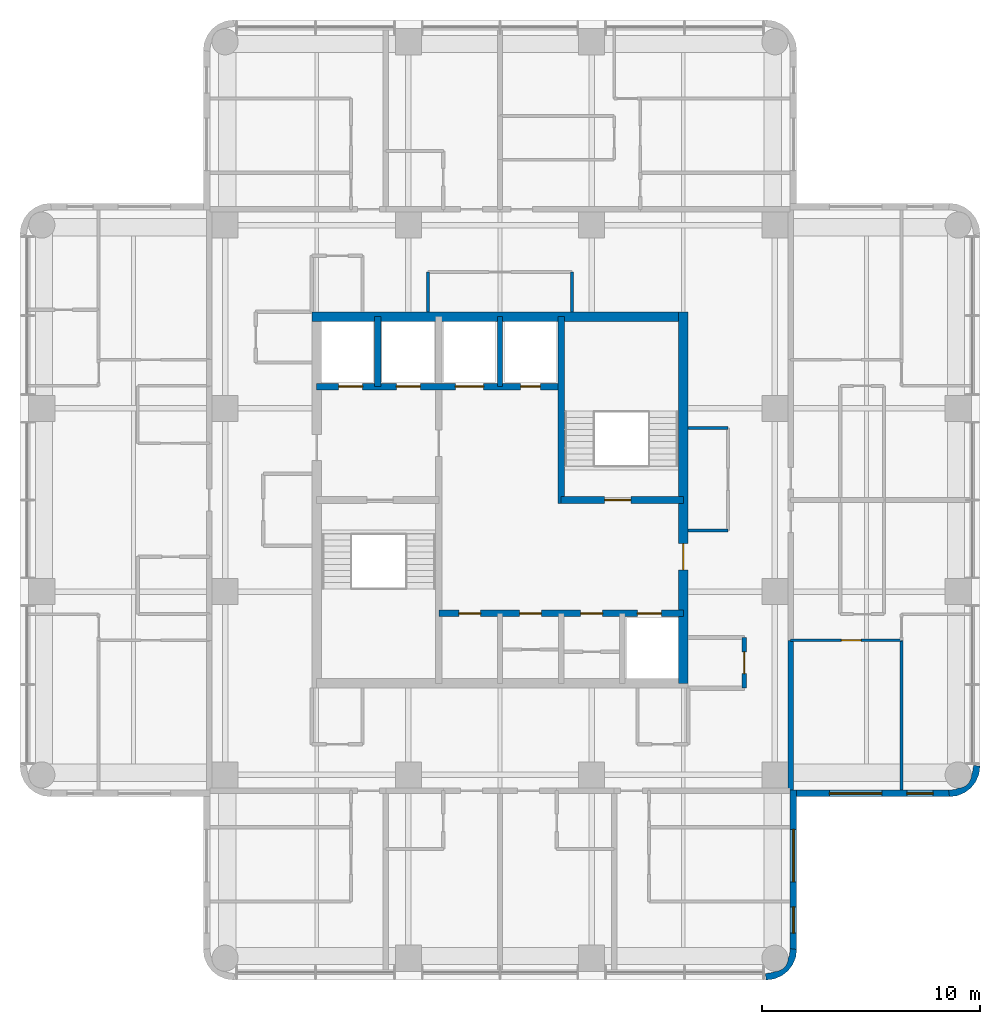
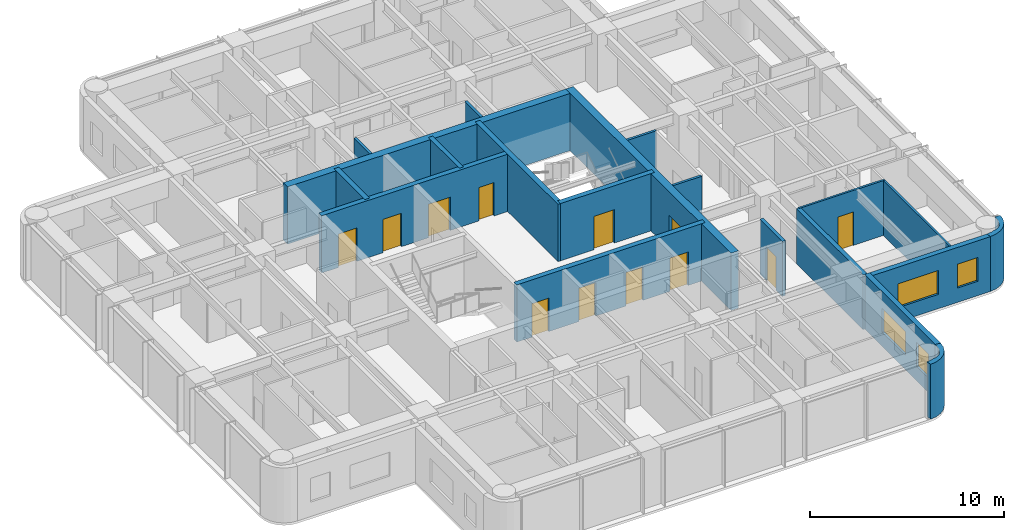
# One storey, part 6 of 10: 20 walls, 12 doors, 4 windows, 16 openings.
"""IFC4 building model written with IfcOpenShell, lengths in metres."""

from ifc_helpers import new_model, si_unit, direction, frame, frame_2d, origin, place, context, subcontext, project, spatial, polyline, rectangle, outline, extrude, material, layer, layer_set, type_object, element, fill, save


model = new_model("IFC4")

# Units and contexts
model_context = context("Model", 3, precision=1e-05, world=origin(), true_north=direction((0.0, 1.0)))
body_context = subcontext(model_context, "Body", "Model", "MODEL_VIEW")
ifc_project = project(units=[si_unit("LENGTHUNIT", "METRE"), si_unit("AREAUNIT", "SQUARE_METRE"), si_unit("VOLUMEUNIT", "CUBIC_METRE"), si_unit("PLANEANGLEUNIT", "RADIAN"), si_unit("MASSUNIT", "GRAM", prefix="KILO")], contexts=[model_context])

# Site, building, storey
site_placement = place(None, origin())
site = spatial("IfcSite", under=ifc_project, at=site_placement, CompositionType="ELEMENT")
building_placement = place(site_placement, origin())
building = spatial("IfcBuilding", under=site, at=building_placement, Name="Torre Alcanfor", CompositionType="ELEMENT")
storey_placement = place(building_placement, frame((0.0, 0.0, 275.699951171875)))
storey = spatial("IfcBuildingStorey", under=building, at=storey_placement, Name="L72", CompositionType="ELEMENT", Elevation=275.699951171875)

# Wall
ifc_material_1 = material(Name="Concrete block masonry, hollow blocks NMX-C-404 9 MPa", Category="masonry")
ifc_layer_1 = layer(ifc_material_1, 0.25)
ifc_layer_set_1 = layer_set([ifc_layer_1], Name="Apartment entrance wall 250 EI 60")
wall_type_1 = type_object("IfcWallType", Name="Apartment entrance wall 250 EI 60", PredefinedType="PARTITIONING", material=ifc_layer_set_1)
wall_1_placement = place(storey_placement, frame((42.72509765625, 22.970947265625, 0.0), z_axis=(0.0, 0.0, 1.0), x_axis=(0.0, -1.0, 0.0)))
element("IfcWall", 1, at=wall_1_placement, inside=storey, type_object=wall_type_1, Name="Partition L72-CORR / L72-E2-BED2", PredefinedType="PARTITIONING", context=body_context, shape_type="SweptSolid", body=[
    extrude(rectangle(XDim=6.870849609375, YDim=0.25, at=frame_2d((3.435546875, 0.0))), origin(), (0.0, 0.0, 1.0), 3.449951171875),
])

# Wall, opening, door
ifc_material_2 = material(Name="Gypsum board on steel studs", Category="steel")
ifc_layer_2 = layer(ifc_material_2, 0.1201171875)
ifc_layer_set_2 = layer_set([ifc_layer_2], Name="Apartment partition 120")
wall_type_2 = type_object("IfcWallType", Name="Apartment partition 120", PredefinedType="PARTITIONING", material=ifc_layer_set_2)
wall_2_placement = place(storey_placement, frame((47.800048828125, 22.970947265625, 0.0), z_axis=(0.0, 0.0, 1.0), x_axis=(-1.0, 0.0, 0.0)))
wall_2 = element("IfcWall", 2, at=wall_2_placement, inside=storey, type_object=wall_type_2, Name="Partition L72-E2-LIVING / L72-E2-BED2", PredefinedType="PARTITIONING", context=body_context, shape_type="SweptSolid", body=[
    extrude(rectangle(XDim=5.074951171875, YDim=0.1201171875, at=frame_2d((2.53759765625, 0.0))), origin(), (0.0, 0.0, 1.0), 3.449951171875),
])
opening_1_placement = place(wall_2_placement, frame((1.85009765625, 0.0, 0.0)))
opening_1 = element("IfcOpeningElement", 3, at=opening_1_placement, cuts=wall_2, Name="Opening D-R1", PredefinedType="OPENING", context=body_context, shape_type="SweptSolid", body=[
    extrude(rectangle(XDim=0.89990234375, YDim=2.10009765625, at=frame_2d((0.449951171875, 1.050048828125))), frame((0.0, 0.070068359375, 0.0), z_axis=(0.0, -1.0, 0.0), x_axis=(1.0, 0.0, 0.0)), (0.0, 0.0, 1.0), 0.14013671875),
])
ifc_material_3 = material(Name="Timber", Category="wood")
door_type_1 = type_object("IfcDoorType", Name="Internal door 900x2100", OperationType="SINGLE_SWING_LEFT", PredefinedType="DOOR", material=ifc_material_3)
door_1_placement = place(opening_1_placement, origin())
door_1 = element("IfcDoor", 4, at=door_1_placement, inside=storey, type_object=door_type_1, Name="Door L72-E2 bed2", OperationType="SINGLE_SWING_LEFT", OverallHeight=2.10009765625, OverallWidth=0.89990234375, PredefinedType="DOOR", context=body_context, shape_type="SweptSolid", body=[
    extrude(rectangle(XDim=0.89990234375, YDim=2.10009765625, at=frame_2d((0.449951171875, 1.050048828125))), frame((0.0, 0.02490234375, 0.0), z_axis=(0.0, -1.0, 0.0), x_axis=(1.0, 0.0, 0.0)), (0.0, 0.0, 1.0), 0.050048828125),
])
fill(opening_1, door_1)

# Wall
wall_3_placement = place(storey_placement, frame((47.800048828125, 22.970947265625, 0.0), z_axis=(0.0, 0.0, 1.0), x_axis=(0.0, -1.0, 0.0)))
element("IfcWall", 5, at=wall_3_placement, inside=storey, type_object=wall_type_2, Name="Partition L72-E2-BED2 / L72-E2-MASTER", PredefinedType="PARTITIONING", context=body_context, shape_type="SweptSolid", body=[
    extrude(rectangle(XDim=6.870849609375, YDim=0.1201171875, at=frame_2d((3.435546875, 0.0))), origin(), (0.0, 0.0, 1.0), 3.449951171875),
])

# Wall, openings, doors
ifc_material_4 = material(Name="Concrete f'c 70 MPa", Category="concrete")
ifc_layer_3 = layer(ifc_material_4, 0.300048828125)
ifc_layer_set_3 = layer_set([ifc_layer_3], Name="Core inner wall 300 f'c70")
wall_type_3 = type_object("IfcWallType", Name="Core inner wall 300 f'c70", PredefinedType="SHEAR", material=ifc_layer_set_3)
wall_4_placement = place(storey_placement, frame((21.0, 34.60009765625, 0.0), z_axis=(0.0, 0.0, 1.0), x_axis=(1.0, 0.0, 0.0)))
wall_4 = element("IfcWall", 6, at=wall_4_placement, inside=storey, type_object=wall_type_3, Name="Core wall Y346 L72", PredefinedType="SHEAR", context=body_context, shape_type="SweptSolid", body=[
    extrude(rectangle(XDim=11.199951171875, YDim=0.300048828125, at=frame_2d((5.60009765625, 0.0))), origin(), (0.0, 0.0, 1.0), 3.60009765625),
])
opening_2_placement = place(wall_4_placement, frame((9.35009765625, 0.0, 0.0)))
opening_2 = element("IfcOpeningElement", 7, at=opening_2_placement, cuts=wall_4, Name="Opening D-Q1", PredefinedType="OPENING", context=body_context, shape_type="SweptSolid", body=[
    extrude(rectangle(XDim=0.89990234375, YDim=2.10009765625, at=frame_2d((0.449951171875, 1.050048828125))), frame((0.0, 0.159912109375, 0.0), z_axis=(0.0, -1.0, 0.0), x_axis=(1.0, 0.0, 0.0)), (0.0, 0.0, 1.0), 0.320068359375),
])
opening_3_placement = place(wall_4_placement, frame((1.0, 0.0, 0.0)))
opening_3 = element("IfcOpeningElement", 8, at=opening_3_placement, cuts=wall_4, Name="Opening LD2", PredefinedType="OPENING", context=body_context, shape_type="SweptSolid", body=[
    extrude(rectangle(XDim=1.10009765625, YDim=2.10009765625, at=frame_2d((0.550048828125, 1.050048828125))), frame((0.0, 0.159912109375, 0.0), z_axis=(0.0, -1.0, 0.0), x_axis=(1.0, 0.0, 0.0)), (0.0, 0.0, 1.0), 0.320068359375),
])
opening_4_placement = place(wall_4_placement, frame((3.64990234375, 0.0, 0.0)))
opening_4 = element("IfcOpeningElement", 9, at=opening_4_placement, cuts=wall_4, Name="Opening LD2", PredefinedType="OPENING", context=body_context, shape_type="SweptSolid", body=[
    extrude(rectangle(XDim=1.10009765625, YDim=2.10009765625, at=frame_2d((0.550048828125, 1.050048828125))), frame((0.0, 0.159912109375, 0.0), z_axis=(0.0, -1.0, 0.0), x_axis=(1.0, 0.0, 0.0)), (0.0, 0.0, 1.0), 0.320068359375),
])
opening_5_placement = place(wall_4_placement, frame((6.35009765625, 0.0, 0.0)))
opening_5 = element("IfcOpeningElement", 10, at=opening_5_placement, cuts=wall_4, Name="Opening LD3", PredefinedType="OPENING", context=body_context, shape_type="SweptSolid", body=[
    extrude(rectangle(XDim=1.300048828125, YDim=2.10009765625, at=frame_2d((0.64990234375, 1.050048828125))), frame((0.0, 0.159912109375, 0.0), z_axis=(0.0, -1.0, 0.0), x_axis=(1.0, 0.0, 0.0)), (0.0, 0.0, 1.0), 0.320068359375),
])
ifc_material_5 = material(Name="Galvanised steel sheet ASTM A653", Category="steel")
door_type_2 = type_object("IfcDoorType", Name="Firefighting lift landing door 1100x2100", OperationType="DOUBLE_DOOR_SLIDING", PredefinedType="DOOR", material=ifc_material_5)
door_2_placement = place(opening_3_placement, origin())
door_2 = element("IfcDoor", 11, at=door_2_placement, inside=storey, type_object=door_type_2, Name="Lift landing door FL1 L72", OperationType="DOUBLE_DOOR_SLIDING", OverallHeight=2.10009765625, OverallWidth=1.10009765625, PredefinedType="DOOR", context=body_context, shape_type="SweptSolid", body=[
    extrude(rectangle(XDim=1.10009765625, YDim=2.10009765625, at=frame_2d((0.550048828125, 1.050048828125))), frame((0.0, 0.02490234375, 0.0), z_axis=(0.0, -1.0, 0.0), x_axis=(1.0, 0.0, 0.0)), (0.0, 0.0, 1.0), 0.050048828125),
])
fill(opening_3, door_2)
door_3_placement = place(opening_4_placement, origin())
door_3 = element("IfcDoor", 12, at=door_3_placement, inside=storey, type_object=door_type_2, Name="Lift landing door FL2 L72", OperationType="DOUBLE_DOOR_SLIDING", OverallHeight=2.10009765625, OverallWidth=1.10009765625, PredefinedType="DOOR", context=body_context, shape_type="SweptSolid", body=[
    extrude(rectangle(XDim=1.10009765625, YDim=2.10009765625, at=frame_2d((0.550048828125, 1.050048828125))), frame((0.0, 0.02490234375, 0.0), z_axis=(0.0, -1.0, 0.0), x_axis=(1.0, 0.0, 0.0)), (0.0, 0.0, 1.0), 0.050048828125),
])
fill(opening_4, door_3)
ifc_material_6 = material(Name="Galvanised steel sheet ASTM A653", Category="steel")
door_type_3 = type_object("IfcDoorType", Name="Riser access door FD120 900x2100", OperationType="SINGLE_SWING_LEFT", PredefinedType="DOOR", material=ifc_material_6)
door_4_placement = place(opening_2_placement, origin())
door_4 = element("IfcDoor", 13, at=door_4_placement, inside=storey, type_object=door_type_3, Name="Riser door L72", OperationType="SINGLE_SWING_LEFT", OverallHeight=2.10009765625, OverallWidth=0.89990234375, PredefinedType="DOOR", context=body_context, shape_type="SweptSolid", body=[
    extrude(rectangle(XDim=0.89990234375, YDim=2.10009765625, at=frame_2d((0.449951171875, 1.050048828125))), frame((0.0, 0.02490234375, 0.0), z_axis=(0.0, -1.0, 0.0), x_axis=(1.0, 0.0, 0.0)), (0.0, 0.0, 1.0), 0.050048828125),
])
fill(opening_2, door_4)
ifc_material_7 = material(Name="Galvanised steel sheet ASTM A653", Category="steel")
door_type_4 = type_object("IfcDoorType", Name="Service lift landing door 1300x2100", OperationType="DOUBLE_DOOR_SLIDING", PredefinedType="DOOR", material=ifc_material_7)
door_5_placement = place(opening_5_placement, origin())
door_5 = element("IfcDoor", 14, at=door_5_placement, inside=storey, type_object=door_type_4, Name="Lift landing door SL1 L72", OperationType="DOUBLE_DOOR_SLIDING", OverallHeight=2.10009765625, OverallWidth=1.300048828125, PredefinedType="DOOR", context=body_context, shape_type="SweptSolid", body=[
    extrude(rectangle(XDim=1.300048828125, YDim=2.10009765625, at=frame_2d((0.64990234375, 1.050048828125))), frame((0.0, 0.02490234375, 0.0), z_axis=(0.0, -1.0, 0.0), x_axis=(1.0, 0.0, 0.0)), (0.0, 0.0, 1.0), 0.050048828125),
])
fill(opening_5, door_5)

# Wall
wall_5_placement = place(storey_placement, frame((23.800048828125, 34.60009765625, 0.0), z_axis=(0.0, 0.0, 1.0), x_axis=(0.0, 1.0, 0.0)))
element("IfcWall", 15, at=wall_5_placement, inside=storey, type_object=wall_type_3, Name="Core wall X238 L72", PredefinedType="SHEAR", context=body_context, shape_type="SweptSolid", body=[
    extrude(rectangle(XDim=3.199951171875, YDim=0.300048828125, at=frame_2d((1.60009765625, 0.0))), origin(), (0.0, 0.0, 1.0), 3.60009765625),
])

# Wall, openings, doors
wall_6_placement = place(storey_placement, frame((26.60009765625, 24.199951171875, 0.0), z_axis=(0.0, 0.0, 1.0), x_axis=(1.0, 0.0, 0.0)))
wall_6 = element("IfcWall", 16, at=wall_6_placement, inside=storey, type_object=wall_type_3, Name="Core wall Y242 L72", PredefinedType="SHEAR", context=body_context, shape_type="SweptSolid", body=[
    extrude(rectangle(XDim=11.199951171875, YDim=0.300048828125, at=frame_2d((5.60009765625, 0.0))), origin(), (0.0, 0.0, 1.0), 3.60009765625),
])
opening_6_placement = place(wall_6_placement, frame((0.91259765625, 0.0, 0.0)))
opening_6 = element("IfcOpeningElement", 17, at=opening_6_placement, cuts=wall_6, Name="Opening D-K1", PredefinedType="OPENING", context=body_context, shape_type="SweptSolid", body=[
    extrude(rectangle(XDim=1.0, YDim=2.10009765625, at=frame_2d((0.5, 1.050048828125))), frame((0.0, 0.159912109375, 0.0), z_axis=(0.0, -1.0, 0.0), x_axis=(1.0, 0.0, 0.0)), (0.0, 0.0, 1.0), 0.320068359375),
])
opening_7_placement = place(wall_6_placement, frame((3.699951171875, 0.0, 0.0)))
opening_7 = element("IfcOpeningElement", 18, at=opening_7_placement, cuts=wall_6, Name="Opening D-K1", PredefinedType="OPENING", context=body_context, shape_type="SweptSolid", body=[
    extrude(rectangle(XDim=1.0, YDim=2.10009765625, at=frame_2d((0.5, 1.050048828125))), frame((0.0, 0.159912109375, 0.0), z_axis=(0.0, -1.0, 0.0), x_axis=(1.0, 0.0, 0.0)), (0.0, 0.0, 1.0), 0.320068359375),
])
opening_8_placement = place(wall_6_placement, frame((6.5, 0.0, 0.0)))
opening_8 = element("IfcOpeningElement", 19, at=opening_8_placement, cuts=wall_6, Name="Opening D-K1", PredefinedType="OPENING", context=body_context, shape_type="SweptSolid", body=[
    extrude(rectangle(XDim=1.0, YDim=2.10009765625, at=frame_2d((0.5, 1.050048828125))), frame((0.0, 0.159912109375, 0.0), z_axis=(0.0, -1.0, 0.0), x_axis=(1.0, 0.0, 0.0)), (0.0, 0.0, 1.0), 0.320068359375),
])
opening_9_placement = place(wall_6_placement, frame((9.10009765625, 0.0, 0.0)))
opening_9 = element("IfcOpeningElement", 20, at=opening_9_placement, cuts=wall_6, Name="Opening LD1", PredefinedType="OPENING", context=body_context, shape_type="SweptSolid", body=[
    extrude(rectangle(XDim=1.10009765625, YDim=2.10009765625, at=frame_2d((0.550048828125, 1.050048828125))), frame((0.0, 0.159912109375, 0.0), z_axis=(0.0, -1.0, 0.0), x_axis=(1.0, 0.0, 0.0)), (0.0, 0.0, 1.0), 0.320068359375),
])
ifc_material_8 = material(Name="Galvanised steel sheet ASTM A653", Category="steel")
door_type_5 = type_object("IfcDoorType", Name="Core room door FD60 1000x2100", OperationType="SINGLE_SWING_LEFT", PredefinedType="DOOR", material=ifc_material_8)
door_6_placement = place(opening_6_placement, frame((1.0, 0.0, 0.0), z_axis=(0.0, 0.0, 1.0), x_axis=(-1.0, 0.0, 0.0)))
door_6 = element("IfcDoor", 21, at=door_6_placement, inside=storey, type_object=door_type_5, Name="Housekeeping store door L72", OperationType="SINGLE_SWING_RIGHT", OverallHeight=2.10009765625, OverallWidth=1.0, PredefinedType="DOOR", context=body_context, shape_type="SweptSolid", body=[
    extrude(rectangle(XDim=1.0, YDim=2.10009765625, at=frame_2d((0.5, 1.050048828125))), frame((0.0, 0.025146484375, 0.0), z_axis=(0.0, -1.0, 0.0), x_axis=(1.0, 0.0, 0.0)), (0.0, 0.0, 1.0), 0.050048828125),
])
fill(opening_6, door_6)
door_7_placement = place(opening_7_placement, frame((1.0, 0.0, 0.0), z_axis=(0.0, 0.0, 1.0), x_axis=(-1.0, 0.0, 0.0)))
door_7 = element("IfcDoor", 22, at=door_7_placement, inside=storey, type_object=door_type_5, Name="Staff WC door L72", OperationType="SINGLE_SWING_RIGHT", OverallHeight=2.10009765625, OverallWidth=1.0, PredefinedType="DOOR", context=body_context, shape_type="SweptSolid", body=[
    extrude(rectangle(XDim=1.0, YDim=2.10009765625, at=frame_2d((0.5, 1.050048828125))), frame((0.0, 0.025146484375, 0.0), z_axis=(0.0, -1.0, 0.0), x_axis=(1.0, 0.0, 0.0)), (0.0, 0.0, 1.0), 0.050048828125),
])
fill(opening_7, door_7)
door_8_placement = place(opening_8_placement, frame((1.0, 0.0, 0.0), z_axis=(0.0, 0.0, 1.0), x_axis=(-1.0, 0.0, 0.0)))
door_8 = element("IfcDoor", 23, at=door_8_placement, inside=storey, type_object=door_type_5, Name="IT and comms room door L72", OperationType="SINGLE_SWING_RIGHT", OverallHeight=2.10009765625, OverallWidth=1.0, PredefinedType="DOOR", context=body_context, shape_type="SweptSolid", body=[
    extrude(rectangle(XDim=1.0, YDim=2.10009765625, at=frame_2d((0.5, 1.050048828125))), frame((0.0, 0.025146484375, 0.0), z_axis=(0.0, -1.0, 0.0), x_axis=(1.0, 0.0, 0.0)), (0.0, 0.0, 1.0), 0.050048828125),
])
fill(opening_8, door_8)
ifc_material_9 = material(Name="Galvanised steel sheet ASTM A653", Category="steel")
door_type_6 = type_object("IfcDoorType", Name="Lift landing door 1100x2100", OperationType="DOUBLE_DOOR_SLIDING", PredefinedType="DOOR", material=ifc_material_9)
door_9_placement = place(opening_9_placement, origin())
door_9 = element("IfcDoor", 24, at=door_9_placement, inside=storey, type_object=door_type_6, Name="Lift landing door PA4 L72", OperationType="DOUBLE_DOOR_SLIDING", OverallHeight=2.10009765625, OverallWidth=1.10009765625, PredefinedType="DOOR", context=body_context, shape_type="SweptSolid", body=[
    extrude(rectangle(XDim=1.10009765625, YDim=2.10009765625, at=frame_2d((0.550048828125, 1.050048828125))), frame((0.0, 0.02490234375, 0.0), z_axis=(0.0, -1.0, 0.0), x_axis=(1.0, 0.0, 0.0)), (0.0, 0.0, 1.0), 0.050048828125),
])
fill(opening_9, door_9)

# Wall
wall_7_placement = place(storey_placement, frame((32.199951171875, 29.25, 0.0), z_axis=(0.0, 0.0, 1.0), x_axis=(0.0, 1.0, 0.0)))
element("IfcWall", 25, at=wall_7_placement, inside=storey, type_object=wall_type_3, Name="Core wall X322N L72", PredefinedType="SHEAR", context=body_context, shape_type="SweptSolid", body=[
    extrude(rectangle(XDim=8.550048828125, YDim=0.300048828125, at=frame_2d((4.27490234375, 0.0))), origin(), (0.0, 0.0, 1.0), 3.60009765625),
])

# Wall, opening, door
wall_8_placement = place(storey_placement, frame((32.199951171875, 29.39990234375, 0.0), z_axis=(0.0, 0.0, 1.0), x_axis=(1.0, 0.0, 0.0)))
wall_8 = element("IfcWall", 26, at=wall_8_placement, inside=storey, type_object=wall_type_3, Name="Core wall Y294E L72", PredefinedType="SHEAR", context=body_context, shape_type="SweptSolid", body=[
    extrude(rectangle(XDim=5.60009765625, YDim=0.300048828125, at=frame_2d((2.800048828125, 0.0))), origin(), (0.0, 0.0, 1.0), 3.60009765625),
])
opening_10_placement = place(wall_8_placement, frame((2.0, 0.0, 0.0)))
opening_10 = element("IfcOpeningElement", 27, at=opening_10_placement, cuts=wall_8, Name="Opening D-S2", PredefinedType="OPENING", context=body_context, shape_type="SweptSolid", body=[
    extrude(rectangle(XDim=1.199951171875, YDim=2.10009765625, at=frame_2d((0.60009765625, 1.050048828125))), frame((0.0, 0.159912109375, 0.0), z_axis=(0.0, -1.0, 0.0), x_axis=(1.0, 0.0, 0.0)), (0.0, 0.0, 1.0), 0.320068359375),
])
ifc_material_10 = material(Name="Galvanised steel sheet ASTM A653", Category="steel")
door_type_7 = type_object("IfcDoorType", Name="Stair enclosure door FD120 1200x2100", OperationType="SINGLE_SWING_LEFT", PredefinedType="DOOR", material=ifc_material_10)
door_10_placement = place(opening_10_placement, origin())
door_10 = element("IfcDoor", 28, at=door_10_placement, inside=storey, type_object=door_type_7, Name="Stair S2 door L72", OperationType="SINGLE_SWING_LEFT", OverallHeight=2.10009765625, OverallWidth=1.199951171875, PredefinedType="DOOR", context=body_context, shape_type="SweptSolid", body=[
    extrude(rectangle(XDim=1.199951171875, YDim=2.10009765625, at=frame_2d((0.60009765625, 1.050048828125))), frame((0.0, 0.02490234375, 0.0), z_axis=(0.0, -1.0, 0.0), x_axis=(1.0, 0.0, 0.0)), (0.0, 0.0, 1.0), 0.050048828125),
])
fill(opening_10, door_10)

# Wall
ifc_material_11 = material(Name="Concrete f'c 70 MPa", Category="concrete")
ifc_layer_4 = layer(ifc_material_11, 0.25)
ifc_layer_set_4 = layer_set([ifc_layer_4], Name="Core shaft wall 250 f'c70")
wall_type_4 = type_object("IfcWallType", Name="Core shaft wall 250 f'c70", PredefinedType="SHEAR", material=ifc_layer_set_4)
wall_9_placement = place(storey_placement, frame((29.39990234375, 34.60009765625, 0.0), z_axis=(0.0, 0.0, 1.0), x_axis=(0.0, 1.0, 0.0)))
element("IfcWall", 29, at=wall_9_placement, inside=storey, type_object=wall_type_4, Name="Core wall X294N L72", PredefinedType="SHEAR", context=body_context, shape_type="SweptSolid", body=[
    extrude(rectangle(XDim=3.199951171875, YDim=0.25, at=frame_2d((1.60009765625, 0.0))), origin(), (0.0, 0.0, 1.0), 3.60009765625),
])

# Wall, opening, door
ifc_material_12 = material(Name="Concrete f'c 70 MPa", Category="concrete")
ifc_layer_5 = layer(ifc_material_12, 0.449951171875)
ifc_layer_set_5 = layer_set([ifc_layer_5], Name="Core wall 450 f'c70")
wall_type_5 = type_object("IfcWallType", Name="Core wall 450 f'c70", PredefinedType="SHEAR", material=ifc_layer_set_5)
wall_10_placement = place(storey_placement, frame((37.800048828125, 21.0, 0.0), z_axis=(0.0, 0.0, 1.0), x_axis=(0.0, 1.0, 0.0)))
wall_10 = element("IfcWall", 30, at=wall_10_placement, inside=storey, type_object=wall_type_5, Name="Core wall OUT-E L72", PredefinedType="SHEAR", context=body_context, shape_type="SweptSolid", body=[
    extrude(rectangle(XDim=17.02490234375, YDim=0.449951171875, at=frame_2d((8.512451171875, 0.0))), origin(), (0.0, 0.0, 1.0), 3.60009765625),
])
opening_11_placement = place(wall_10_placement, frame((5.199951171875, 0.0, 0.0)))
opening_11 = element("IfcOpeningElement", 31, at=opening_11_placement, cuts=wall_10, Name="Opening D-L1", PredefinedType="OPENING", context=body_context, shape_type="SweptSolid", body=[
    extrude(rectangle(XDim=1.199951171875, YDim=2.10009765625, at=frame_2d((0.60009765625, 1.050048828125))), frame((0.0, 0.23486328125, 0.0), z_axis=(0.0, -1.0, 0.0), x_axis=(1.0, 0.0, 0.0)), (0.0, 0.0, 1.0), 0.469970703125),
])
ifc_material_13 = material(Name="Galvanised steel sheet ASTM A653", Category="steel")
door_type_8 = type_object("IfcDoorType", Name="Lobby door FD120 1200x2100", OperationType="SINGLE_SWING_LEFT", PredefinedType="DOOR", material=ifc_material_13)
door_11_placement = place(opening_11_placement, origin())
door_11 = element("IfcDoor", 32, at=door_11_placement, inside=storey, type_object=door_type_8, Name="Lift lobby entrance door L72", OperationType="SINGLE_SWING_LEFT", OverallHeight=2.10009765625, OverallWidth=1.199951171875, PredefinedType="DOOR", context=body_context, shape_type="SweptSolid", body=[
    extrude(rectangle(XDim=1.199951171875, YDim=2.10009765625, at=frame_2d((0.60009765625, 1.050048828125))), frame((0.0, 0.02490234375, 0.0), z_axis=(0.0, -1.0, 0.0), x_axis=(1.0, 0.0, 0.0)), (0.0, 0.0, 1.0), 0.050048828125),
])
fill(opening_11, door_11)

# Wall
wall_11_placement = place(storey_placement, frame((37.800048828125, 37.800048828125, 0.0), z_axis=(0.0, 0.0, 1.0), x_axis=(-1.0, 0.0, 0.0)))
element("IfcWall", 33, at=wall_11_placement, inside=storey, type_object=wall_type_5, Name="Core wall OUT-N L72", PredefinedType="SHEAR", context=body_context, shape_type="SweptSolid", body=[
    extrude(rectangle(XDim=17.025146484375, YDim=0.449951171875, at=frame_2d((8.5126953125, 0.0))), origin(), (0.0, 0.0, 1.0), 3.60009765625),
])

# Wall, openings, windows
ifc_material_14 = material(Name="Limestone cladding", Category="masonry")
ifc_layer_6 = layer(ifc_material_14, 0.0400390625, Name="Facing")
ifc_material_15 = material(Name="Ventilated air cavity")
ifc_layer_7 = layer(ifc_material_15, 0.02001953125, ventilated=True, Name="Ventilated joint")
ifc_material_16 = material(Name="Mineral wool insulation", Category="insulation")
ifc_layer_8 = layer(ifc_material_16, 0.10009765625, Name="Insulation")
ifc_material_17 = material(Name="Concrete f'c 35 MPa", Category="concrete")
ifc_layer_9 = layer(ifc_material_17, 0.139892578125, Name="Backing")
ifc_layer_set_6 = layer_set([ifc_layer_6, ifc_layer_7, ifc_layer_8, ifc_layer_9], Name="External wall stone-clad 300")
wall_type_6 = type_object("IfcWallType", Name="External wall stone-clad 300", PredefinedType="SOLIDWALL", material=ifc_layer_set_6)
wall_12_placement = place(storey_placement, frame((42.85009765625, 8.800048828125, 0.0), z_axis=(0.0, 0.0, 1.0), x_axis=(0.0, 1.0, 0.0)))
wall_12 = element("IfcWall", 34, at=wall_12_placement, inside=storey, type_object=wall_type_6, Name="External wall L72 6", PredefinedType="SOLIDWALL", context=body_context, shape_type="SweptSolid", body=[
    extrude(rectangle(XDim=7.300048828125, YDim=0.300048828125, at=frame_2d((3.64990234375, 0.0))), origin(), (0.0, 0.0, 1.0), 3.449951171875),
])
opening_12_placement = place(wall_12_placement, frame((3.10009765625, 0.0, 0.89990234375)))
opening_12 = element("IfcOpeningElement", 35, at=opening_12_placement, cuts=wall_12, Name="Opening W1", PredefinedType="OPENING", context=body_context, shape_type="SweptSolid", body=[
    extrude(rectangle(XDim=2.39990234375, YDim=1.5, at=frame_2d((1.199951171875, 0.75))), frame((0.0, 0.159912109375, 0.0), z_axis=(0.0, -1.0, 0.0), x_axis=(1.0, 0.0, 0.0)), (0.0, 0.0, 1.0), 0.320068359375),
])
opening_13_placement = place(wall_12_placement, frame((0.75, 0.0, 0.89990234375)))
opening_13 = element("IfcOpeningElement", 36, at=opening_13_placement, cuts=wall_12, Name="Opening W4", PredefinedType="OPENING", context=body_context, shape_type="SweptSolid", body=[
    extrude(rectangle(XDim=1.199951171875, YDim=1.5, at=frame_2d((0.60009765625, 0.75))), frame((0.0, 0.159912109375, 0.0), z_axis=(0.0, -1.0, 0.0), x_axis=(1.0, 0.0, 0.0)), (0.0, 0.0, 1.0), 0.320068359375),
])
ifc_material_18 = material(Name="Aluminium frame with clear double glazing", Category="aluminium")
window_type_1 = type_object("IfcWindowType", Name="Window bedroom 1200x1500", PartitioningType="SINGLE_PANEL", PredefinedType="WINDOW", material=ifc_material_18)
window_1_placement = place(opening_13_placement, origin())
window_1 = element("IfcWindow", 37, at=window_1_placement, inside=storey, type_object=window_type_1, Name="Window W4 L72-S1", OverallHeight=1.5, OverallWidth=1.199951171875, PartitioningType="SINGLE_PANEL", PredefinedType="WINDOW", context=body_context, shape_type="SweptSolid", body=[
    extrude(rectangle(XDim=1.199951171875, YDim=1.5, at=frame_2d((0.60009765625, 0.75))), frame((0.0, 0.030029296875, 0.0), z_axis=(0.0, -1.0, 0.0), x_axis=(1.0, 0.0, 0.0)), (0.0, 0.0, 1.0), 0.06005859375),
])
fill(opening_13, window_1)
ifc_material_19 = material(Name="Aluminium frame with clear double glazing", Category="aluminium")
window_type_2 = type_object("IfcWindowType", Name="Window bedroom 2400x1500", PartitioningType="SINGLE_PANEL", PredefinedType="WINDOW", material=ifc_material_19)
window_2_placement = place(opening_12_placement, origin())
window_2 = element("IfcWindow", 38, at=window_2_placement, inside=storey, type_object=window_type_2, Name="Window W1 L72-S1", OverallHeight=1.5, OverallWidth=2.39990234375, PartitioningType="SINGLE_PANEL", PredefinedType="WINDOW", context=body_context, shape_type="SweptSolid", body=[
    extrude(rectangle(XDim=2.39990234375, YDim=1.5, at=frame_2d((1.199951171875, 0.75))), frame((0.0, 0.030029296875, 0.0), z_axis=(0.0, -1.0, 0.0), x_axis=(1.0, 0.0, 0.0)), (0.0, 0.0, 1.0), 0.06005859375),
])
fill(opening_12, window_2)

wall_13_placement = place(storey_placement, frame((43.0, 15.949951171875, 0.0), z_axis=(0.0, 0.0, 1.0), x_axis=(1.0, 0.0, 0.0)))
wall_13 = element("IfcWall", 39, at=wall_13_placement, inside=storey, type_object=wall_type_6, Name="External wall L72 7", PredefinedType="SOLIDWALL", context=body_context, shape_type="SweptSolid", body=[
    extrude(rectangle(XDim=7.0, YDim=0.300048828125, at=frame_2d((3.5, 0.0))), origin(), (0.0, 0.0, 1.0), 3.449951171875),
])
opening_14_placement = place(wall_13_placement, frame((1.5, 0.0, 0.89990234375)))
opening_14 = element("IfcOpeningElement", 40, at=opening_14_placement, cuts=wall_13, Name="Opening W1", PredefinedType="OPENING", context=body_context, shape_type="SweptSolid", body=[
    extrude(rectangle(XDim=2.39990234375, YDim=1.5, at=frame_2d((1.199951171875, 0.75))), frame((0.0, 0.159912109375, 0.0), z_axis=(0.0, -1.0, 0.0), x_axis=(1.0, 0.0, 0.0)), (0.0, 0.0, 1.0), 0.320068359375),
])
opening_15_placement = place(wall_13_placement, frame((5.050048828125, 0.0, 0.89990234375)))
opening_15 = element("IfcOpeningElement", 41, at=opening_15_placement, cuts=wall_13, Name="Opening W4", PredefinedType="OPENING", context=body_context, shape_type="SweptSolid", body=[
    extrude(rectangle(XDim=1.199951171875, YDim=1.5, at=frame_2d((0.60009765625, 0.75))), frame((0.0, 0.159912109375, 0.0), z_axis=(0.0, -1.0, 0.0), x_axis=(1.0, 0.0, 0.0)), (0.0, 0.0, 1.0), 0.320068359375),
])
window_3_placement = place(opening_15_placement, origin())
window_3 = element("IfcWindow", 42, at=window_3_placement, inside=storey, type_object=window_type_1, Name="Window W4 L72-E2", OverallHeight=1.5, OverallWidth=1.199951171875, PartitioningType="SINGLE_PANEL", PredefinedType="WINDOW", context=body_context, shape_type="SweptSolid", body=[
    extrude(rectangle(XDim=1.199951171875, YDim=1.5, at=frame_2d((0.60009765625, 0.75))), frame((0.0, 0.030029296875, 0.0), z_axis=(0.0, -1.0, 0.0), x_axis=(1.0, 0.0, 0.0)), (0.0, 0.0, 1.0), 0.06005859375),
])
fill(opening_15, window_3)
window_4_placement = place(opening_14_placement, origin())
window_4 = element("IfcWindow", 43, at=window_4_placement, inside=storey, type_object=window_type_2, Name="Window W1 L72-E2", OverallHeight=1.5, OverallWidth=2.39990234375, PartitioningType="SINGLE_PANEL", PredefinedType="WINDOW", context=body_context, shape_type="SweptSolid", body=[
    extrude(rectangle(XDim=2.39990234375, YDim=1.5, at=frame_2d((1.199951171875, 0.75))), frame((0.0, 0.030029296875, 0.0), z_axis=(0.0, -1.0, 0.0), x_axis=(1.0, 0.0, 0.0)), (0.0, 0.0, 1.0), 0.06005859375),
])
fill(opening_14, window_4)

# Wall, opening, door
ifc_material_20 = material(Name="Concrete block masonry, hollow blocks NMX-C-404 9 MPa", Category="masonry")
ifc_layer_10 = layer(ifc_material_20, 0.199951171875)
ifc_layer_set_7 = layer_set([ifc_layer_10], Name="Plant room wall 200 EI 60")
wall_type_7 = type_object("IfcWallType", Name="Plant room wall 200 EI 60", PredefinedType="PARTITIONING", material=ifc_layer_set_7)
wall_14_placement = place(storey_placement, frame((40.60009765625, 20.77490234375, 0.0), z_axis=(0.0, 0.0, 1.0), x_axis=(0.0, 1.0, 0.0)))
wall_14 = element("IfcWall", 44, at=wall_14_placement, inside=storey, type_object=wall_type_7, Name="Partition L72-CORR / L72-G03", PredefinedType="PARTITIONING", context=body_context, shape_type="SweptSolid", body=[
    extrude(rectangle(XDim=2.3251953125, YDim=0.199951171875, at=frame_2d((1.16259765625, 0.0))), origin(), (0.0, 0.0, 1.0), 3.449951171875),
])
opening_16_placement = place(wall_14_placement, frame((0.66259765625, 0.0, 0.0)))
opening_16 = element("IfcOpeningElement", 45, at=opening_16_placement, cuts=wall_14, Name="Opening D-K1", PredefinedType="OPENING", context=body_context, shape_type="SweptSolid", body=[
    extrude(rectangle(XDim=1.0, YDim=2.10009765625, at=frame_2d((0.5, 1.050048828125))), frame((0.0, 0.10986328125, 0.0), z_axis=(0.0, -1.0, 0.0), x_axis=(1.0, 0.0, 0.0)), (0.0, 0.0, 1.0), 0.219970703125),
])
door_12_placement = place(opening_16_placement, origin())
door_12 = element("IfcDoor", 46, at=door_12_placement, inside=storey, type_object=door_type_5, Name="Door L72-G03 refuse and recycling store", OperationType="SINGLE_SWING_LEFT", OverallHeight=2.10009765625, OverallWidth=1.0, PredefinedType="DOOR", context=body_context, shape_type="SweptSolid", body=[
    extrude(rectangle(XDim=1.0, YDim=2.10009765625, at=frame_2d((0.5, 1.050048828125))), frame((0.0, 0.02490234375, 0.0), z_axis=(0.0, -1.0, 0.0), x_axis=(1.0, 0.0, 0.0)), (0.0, 0.0, 1.0), 0.050048828125),
])
fill(opening_16, door_12)

# Walls
ifc_material_21 = material(Name="Concrete block masonry, hollow blocks NMX-C-404 9 MPa", Category="masonry")
ifc_layer_11 = layer(ifc_material_21, 0.14990234375)
ifc_layer_set_8 = layer_set([ifc_layer_11], Name="Residents' room partition 150")
wall_type_8 = type_object("IfcWallType", Name="Residents' room partition 150", PredefinedType="PARTITIONING", material=ifc_layer_set_8)
for number, where, z_axis, x_axis, name in (
    (47, (32.699951171875, 38.02490234375, 0.0), (0.0, 0.0, 1.0), (0.0, 1.0, 0.0), "Partition L72-CORR / L72-G02"),
    (48, (26.10009765625, 39.85009765625, 0.0), (0.0, 0.0, 1.0), (0.0, -1.0, 0.0), "Partition L72-CORR / L72-G02"),
    (49, (38.02490234375, 28.0, 0.0), (0.0, 0.0, 1.0), (1.0, 0.0, 0.0), "Partition L72-CORR / L72-G04"),
    (50, (39.85009765625, 32.699951171875, 0.0), (0.0, 0.0, 1.0), (-1.0, 0.0, 0.0), "Partition L72-CORR / L72-G04"),
):
    element("IfcWall", number, at=place(storey_placement, frame(where, z_axis=z_axis, x_axis=x_axis)), inside=storey, type_object=wall_type_8, Name=name, PredefinedType="PARTITIONING", context=body_context, shape_type="SweptSolid", body=[
        extrude(rectangle(XDim=1.8251953125, YDim=0.14990234375, at=frame_2d((0.91259765625, 0.0))), origin(), (0.0, 0.0, 1.0), 3.449951171875),
    ])
ifc_layer_12 = layer(ifc_material_14, 0.0400390625, Name="Facing")
ifc_layer_13 = layer(ifc_material_15, 0.02001953125, ventilated=True, Name="Ventilated joint")
ifc_layer_14 = layer(ifc_material_16, 0.10009765625, Name="Insulation")
ifc_layer_15 = layer(ifc_material_17, 0.139892578125, Name="Backing")
ifc_layer_set_9 = layer_set([ifc_layer_12, ifc_layer_13, ifc_layer_14, ifc_layer_15], Name="Rounded corner pier stone-clad 300")
wall_type_9 = type_object("IfcWallType", Name="Rounded corner pier stone-clad 300", PredefinedType="SOLIDWALL", material=ifc_layer_set_9)
wall_15_placement = place(storey_placement, frame((41.638418254, 7.824101883, 0.0), z_axis=(0.0, 0.0, 1.0), x_axis=(0.707106781187, -0.707106781187, 0.0)))
element("IfcWall", 51, at=wall_15_placement, inside=storey, type_object=wall_type_9, Name="Corner pier L72 16", PredefinedType="SOLIDWALL", context=body_context, shape_type="SweptSolid", body=[
    extrude(outline(polyline([(0.0325517960828704, 1.468682453281438), (0.04670774238592146, 1.4545265069783868), (0.23297927971509252, 1.2116311844370118), (0.29219256729980597, 1.0692085539489986), (0.35796592756154294, 1.0034351936872616), (0.44946167805687254, 0.7824643245664655), (0.44946167805687254, 0.5431943053466035), (0.3577932940700423, 0.322396069717308), (0.2921925672998059, 0.2567953429470716), (0.23315191320659318, 0.1142000789675579), (0.046707742385921465, -0.12886787706531783), (0.03272442957437109, -0.14285118987686818), (0.2728576162517362, -0.3270511253080318), (0.4952095533045373, -0.03702685958698693), (0.6350426814200412, 0.3006442497882296), (0.6826895250742129, 0.6628293149565345), (0.635042681420041, 1.0253596471078406), (0.49520955330453736, 1.3630307564830573), (0.2726849827602357, 1.6528823887126016), (0.0325517960828704, 1.468682453281438)])), origin(), (0.0, 0.0, 1.0), 3.449951171875),
])
wall_16_placement = place(storey_placement, frame((50.038418254, 16.224101883, 0.0), z_axis=(0.0, 0.0, 1.0), x_axis=(0.707106781187, -0.707106781187, 0.0)))
element("IfcWall", 52, at=wall_16_placement, inside=storey, type_object=wall_type_9, Name="Corner pier L72 17", PredefinedType="SOLIDWALL", context=body_context, shape_type="SweptSolid", body=[
    extrude(outline(polyline([(0.046707742385922124, 1.454733667168189), (0.23315191320659384, 1.2116657111353133), (0.29219256729980647, 1.0690704471557995), (0.35796592756154344, 1.0032970868940625), (0.44928904456537255, 0.782498851264767), (0.44946167805687315, 0.5434014655364057), (0.3579659275615435, 0.3224305964156095), (0.2921925672998065, 0.25665723615387254), (0.2331519132065938, 0.11406197217435879), (0.046535108894421466, -0.1288333503670163), (0.032551796082871086, -0.14281666317856667), (0.2726849827602362, -0.3270165986097303), (0.495209553304538, -0.03716496638018607), (0.6350426814200417, 0.30050614299503053), (0.6826895250742134, 0.6630364751463366), (0.6350426814200417, 1.0252215403146416), (0.495209553304538, 1.3628926496898581), (0.27268498276023634, 1.6527442819194023), (0.032724429574371716, 1.4687169799797393), (0.046707742385922124, 1.454733667168189)])), origin(), (0.0, 0.0, 1.0), 3.449951171875),
])

save(model, "model.ifc")
